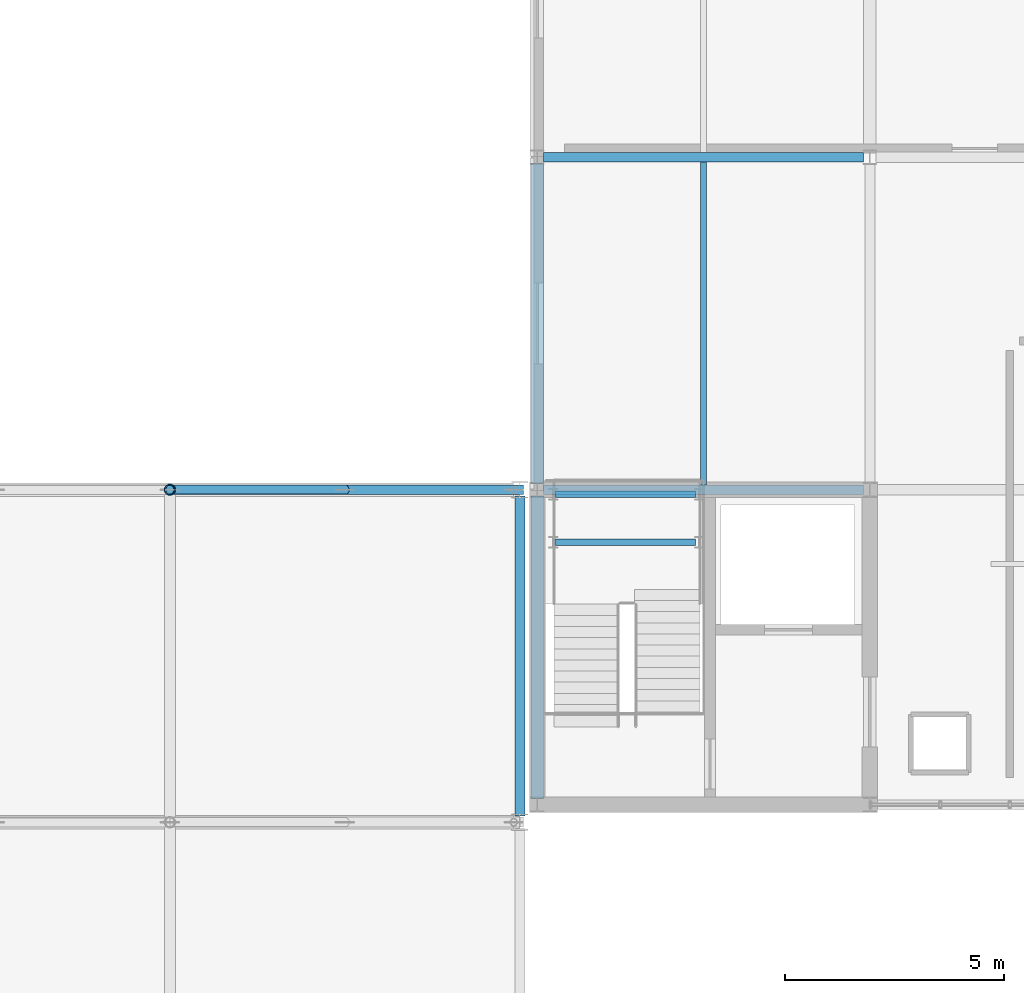
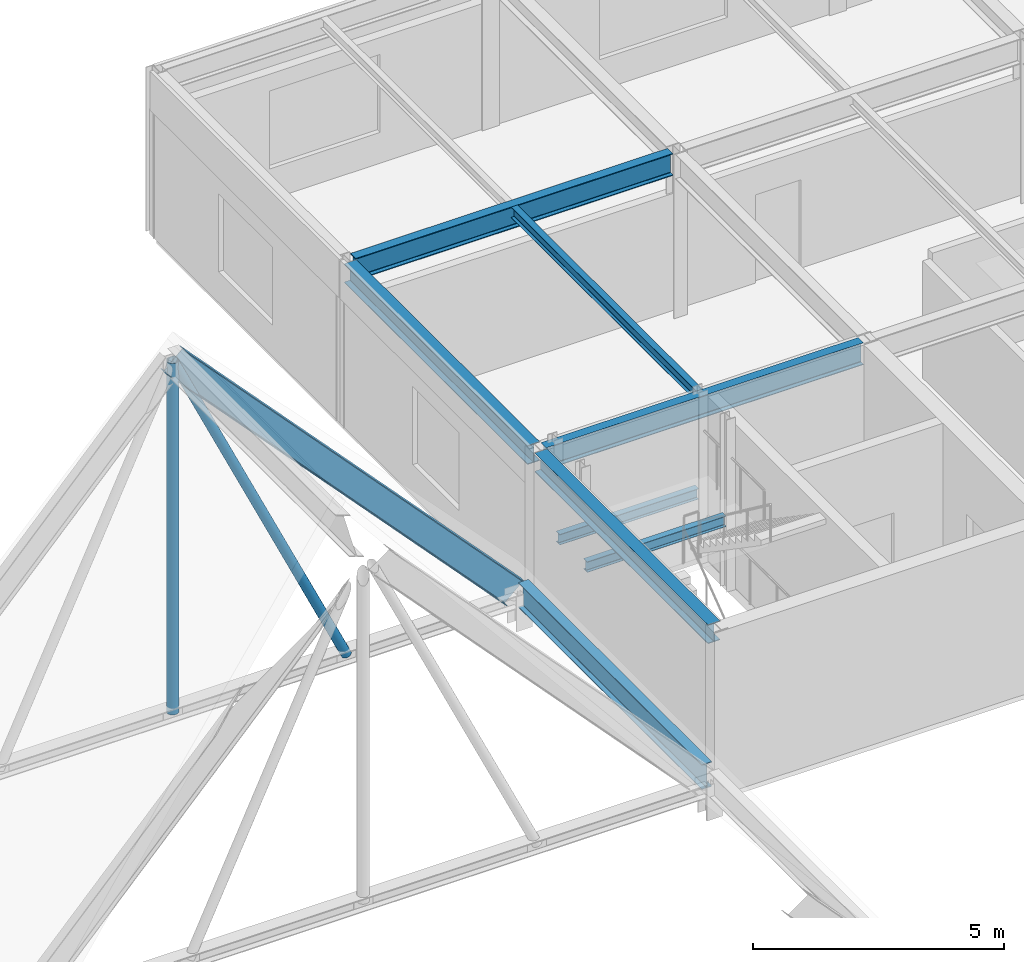
# One storey, part 47 of 85: 9 beams, 2 members.
"""IFC4 building model written with IfcOpenShell, lengths in metres."""

from ifc_helpers import new_model, si_unit, direction, frame, origin, origin_2d, place, context, subcontext, project, spatial, hollow_circle, i_section, extrude, material, material_profile, profile_set, type_object, element, save


model = new_model("IFC4")

# Units and contexts
model_context = context("Model", 3, precision=1e-05, world=origin(), true_north=direction((0.0, 1.0)))
body_context = subcontext(model_context, "Body", "Model", "MODEL_VIEW")
ifc_project = project(units=[si_unit("LENGTHUNIT", "METRE"), si_unit("AREAUNIT", "SQUARE_METRE"), si_unit("VOLUMEUNIT", "CUBIC_METRE"), si_unit("PLANEANGLEUNIT", "RADIAN"), si_unit("MASSUNIT", "GRAM", prefix="KILO")], contexts=[model_context])

# Site, building, storey
site_placement = place(None, origin())
site = spatial("IfcSite", under=ifc_project, at=site_placement, CompositionType="ELEMENT")
building_placement = place(site_placement, origin())
building = spatial("IfcBuilding", under=site, at=building_placement, Name="Zulena Civic Courthouse", CompositionType="ELEMENT")
storey_placement = place(building_placement, frame((0.0, 0.0, 25.199951171875)))
storey = spatial("IfcBuildingStorey", under=building, at=storey_placement, Name="L05", CompositionType="ELEMENT", Elevation=25.199951171875)

# Beams
ifc_material_1 = material(Name="Steel ASTM A992 Grade 50", Category="steel")
ifc_material_profile_1 = material_profile(ifc_material_1, i_section(OverallWidth=0.14599609375, OverallDepth=0.258056640625, WebThickness=0.006103515625, FlangeThickness=0.009033203125, FilletRadius=0.007568359375, at=origin_2d()), Name="W10X22")
ifc_profile_set_1 = profile_set([ifc_material_profile_1], Name="Steel ASTM A992 Grade 50")
beam_type_1 = type_object("IfcBeamType", Name="Joist_W10X22", PredefinedType="JOIST", material=ifc_profile_set_1)
beam_1_placement = place(storey_placement, frame((128.199951171875, 38.10498046875, 3.861083984375), z_axis=(0.0, 1.0, 0.0), x_axis=(-1.0, 0.0, 0.0)))
element("IfcBeam", 1, at=beam_1_placement, inside=storey, type_object=beam_type_1, Name="joist:V3:L05:128.20:38.0_45.6", PredefinedType="JOIST", context=body_context, shape_type="SweptSolid", body=[
    extrude(i_section(OverallWidth=0.14599609375, OverallDepth=0.258056640625, WebThickness=0.006103515625, FlangeThickness=0.009033203125, FilletRadius=0.007568359375, at=origin_2d()), origin(), (0.0, 0.0, 1.0), 7.39013671875),
])
for number, where, z_axis, x_axis, name in (
    (2, (124.820068359375, 36.800048828125, 1.691162109375), (1.0, 0.0, 0.0), (0.0, 1.0, 0.0), "beam:lnd:K3A:L05:0"),
    (3, (124.820068359375, 37.89990234375, 1.691162109375), (1.0, 0.0, 0.0), (0.0, 1.0, 0.0), "beam:lnd:K3A:L05:1"),
):
    element("IfcBeam", number, at=place(storey_placement, frame(where, z_axis=z_axis, x_axis=x_axis)), inside=storey, type_object=beam_type_1, Name=name, PredefinedType="JOIST", context=body_context, shape_type="SweptSolid", body=[
        extrude(i_section(OverallWidth=0.14599609375, OverallDepth=0.258056640625, WebThickness=0.006103515625, FlangeThickness=0.009033203125, FilletRadius=0.007568359375, at=origin_2d()), origin(), (0.0, 0.0, 1.0), 3.199951171875),
    ])
ifc_material_profile_2 = material_profile(ifc_material_1, i_section(OverallWidth=0.22802734375, OverallDepth=0.60693359375, WebThickness=0.01123046875, FlangeThickness=0.017333984375, FilletRadius=0.0126953125, at=origin_2d()), Name="W24X76")
ifc_profile_set_2 = profile_set([ifc_material_profile_2], Name="Steel ASTM A992 Grade 50")
beam_type_2 = type_object("IfcBeamType", Name="RoofRafter_W24X76", PredefinedType="BEAM", material=ifc_profile_set_2)
beam_2_placement = place(storey_placement, frame((116.010009765625, 38.0, 9.056396484375), z_axis=(0.682781141332, 0.0, -0.730622962301), x_axis=(0.0, 1.0, 0.0)))
element("IfcBeam", 4, at=beam_2_placement, inside=storey, type_object=beam_type_2, Name="beam:fold:rafE:04:38.0", PredefinedType="BEAM", context=body_context, shape_type="SweptSolid", body=[
    extrude(i_section(OverallWidth=0.22802734375, OverallDepth=0.60693359375, WebThickness=0.01123046875, FlangeThickness=0.017333984375, FilletRadius=0.0126953125, at=origin_2d()), origin(), (0.0, 0.0, 1.0), 11.497314453125),
])
beam_3_placement = place(storey_placement, frame((124.0, 30.5400390625, 0.65625), z_axis=(0.0, 1.0, 0.0), x_axis=(-1.0, 0.0, 0.0)))
element("IfcBeam", 5, at=beam_3_placement, inside=storey, type_object=beam_type_2, Name="beam:fold:val:L05:124.0:30.4", PredefinedType="BEAM", context=body_context, shape_type="SweptSolid", body=[
    extrude(i_section(OverallWidth=0.22802734375, OverallDepth=0.60693359375, WebThickness=0.01123046875, FlangeThickness=0.017333984375, FilletRadius=0.0126953125, at=origin_2d()), origin(), (0.0, 0.0, 1.0), 7.320068359375),
])

# Members
ifc_material_2 = material(Name="Steel ASTM A500 Grade C", Category="steel")
ifc_material_profile_3 = material_profile(ifc_material_2, hollow_circle(Radius=0.126953125, WallThickness=0.01171875, at=origin_2d()), Name="HSS10.000X0.500")
ifc_profile_set_3 = profile_set([ifc_material_profile_3], Name="Steel ASTM A500 Grade C")
member_type_1 = type_object("IfcMemberType", Name="RoofWeb_CHS10", PredefinedType="USERDEFINED", material=ifc_profile_set_3)
member_1_placement = place(storey_placement, frame((116.0, 38.0, 0.496337890625), z_axis=(0.0, 0.0, 1.0), x_axis=(1.0, 0.0, 0.0)))
element("IfcMember", 6, at=member_1_placement, inside=storey, type_object=member_type_1, Name="mem:fold:king:04:38.0", ObjectType="ROOF TRUSS", PredefinedType="USERDEFINED", context=body_context, shape_type="SweptSolid", body=[
    extrude(hollow_circle(Radius=0.126953125, WallThickness=0.01171875, at=origin_2d()), origin(), (0.0, 0.0, 1.0), 8.56005859375),
])
ifc_material_profile_4 = material_profile(ifc_material_2, hollow_circle(Radius=0.109619140625, WallThickness=0.0087890625, at=origin_2d()), Name="HSS8.625X0.375")
ifc_profile_set_4 = profile_set([ifc_material_profile_4], Name="Steel ASTM A500 Grade C")
member_type_2 = type_object("IfcMemberType", Name="RoofWeb_CHS8", PredefinedType="USERDEFINED", material=ifc_profile_set_4)
member_2_placement = place(storey_placement, frame((120.0, 38.0, 0.496337890625), z_axis=(-0.423346552263, 0.0, 0.905967823208), x_axis=(0.0, -1.0, 0.0)))
element("IfcMember", 7, at=member_2_placement, inside=storey, type_object=member_type_2, Name="mem:fold:diagE:04:38.0", ObjectType="ROOF TRUSS", PredefinedType="USERDEFINED", context=body_context, shape_type="SweptSolid", body=[
    extrude(hollow_circle(Radius=0.109619140625, WallThickness=0.0087890625, at=origin_2d()), origin(), (0.0, 0.0, 1.0), 9.448486328125),
])

# Beams
ifc_material_profile_5 = material_profile(ifc_material_1, i_section(OverallWidth=0.280029296875, OverallDepth=0.462890625, WebThickness=0.0107421875, FlangeThickness=0.017333984375, FilletRadius=0.01025390625, at=origin_2d()), Name="W18X76")
ifc_profile_set_5 = profile_set([ifc_material_profile_5], Name="Steel ASTM A992 Grade 50")
beam_type_3 = type_object("IfcBeamType", Name="Spandrel_W18X76", PredefinedType="SPANDREL", material=ifc_profile_set_5)
beam_4_placement = place(storey_placement, frame((124.39990234375, 30.945068359375, 3.758544921875), z_axis=(0.0, 1.0, 0.0), x_axis=(-1.0, 0.0, 0.0)))
element("IfcBeam", 8, at=beam_4_placement, inside=storey, type_object=beam_type_3, Name="beam:Y:V3:L05:124.4:30.8_38.0", PredefinedType="SPANDREL", context=body_context, shape_type="SweptSolid", body=[
    extrude(i_section(OverallWidth=0.280029296875, OverallDepth=0.462890625, WebThickness=0.0107421875, FlangeThickness=0.017333984375, FilletRadius=0.01025390625, at=origin_2d()), origin(), (0.0, 0.0, 1.0), 6.909912109375),
])
beam_5_placement = place(storey_placement, frame((124.39990234375, 38.14501953125, 3.758544921875), z_axis=(0.0, 1.0, 0.0), x_axis=(-1.0, 0.0, 0.0)))
element("IfcBeam", 9, at=beam_5_placement, inside=storey, type_object=beam_type_3, Name="beam:Y:V3:L05:124.4:38.0_45.6", PredefinedType="SPANDREL", context=body_context, shape_type="SweptSolid", body=[
    extrude(i_section(OverallWidth=0.280029296875, OverallDepth=0.462890625, WebThickness=0.0107421875, FlangeThickness=0.017333984375, FilletRadius=0.01025390625, at=origin_2d()), origin(), (0.0, 0.0, 1.0), 7.31005859375),
])
ifc_material_profile_6 = material_profile(ifc_material_1, i_section(OverallWidth=0.2099609375, OverallDepth=0.537109375, WebThickness=0.010986328125, FlangeThickness=0.017333984375, FilletRadius=0.0126953125, at=origin_2d()), Name="W21X68")
ifc_profile_set_6 = profile_set([ifc_material_profile_6], Name="Steel ASTM A992 Grade 50")
beam_type_4 = type_object("IfcBeamType", Name="Spandrel_W21X68", PredefinedType="SPANDREL", material=ifc_profile_set_6)
for number, where, z_axis, x_axis, name in (
    (10, (124.544921875, 38.0, 3.721435546875), (1.0, 0.0, 0.0), (0.0, 1.0, 0.0), "beam:X:V3:L05:38.0:124.4_132.0"),
    (11, (124.544921875, 45.60009765625, 3.721435546875), (1.0, 0.0, 0.0), (0.0, 1.0, 0.0), "beam:X:V3:L05:45.6:124.4_132.0"),
):
    element("IfcBeam", number, at=place(storey_placement, frame(where, z_axis=z_axis, x_axis=x_axis)), inside=storey, type_object=beam_type_4, Name=name, PredefinedType="SPANDREL", context=body_context, shape_type="SweptSolid", body=[
        extrude(i_section(OverallWidth=0.2099609375, OverallDepth=0.537109375, WebThickness=0.010986328125, FlangeThickness=0.017333984375, FilletRadius=0.0126953125, at=origin_2d()), origin(), (0.0, 0.0, 1.0), 7.31005859375),
    ])

save(model, "model.ifc")
